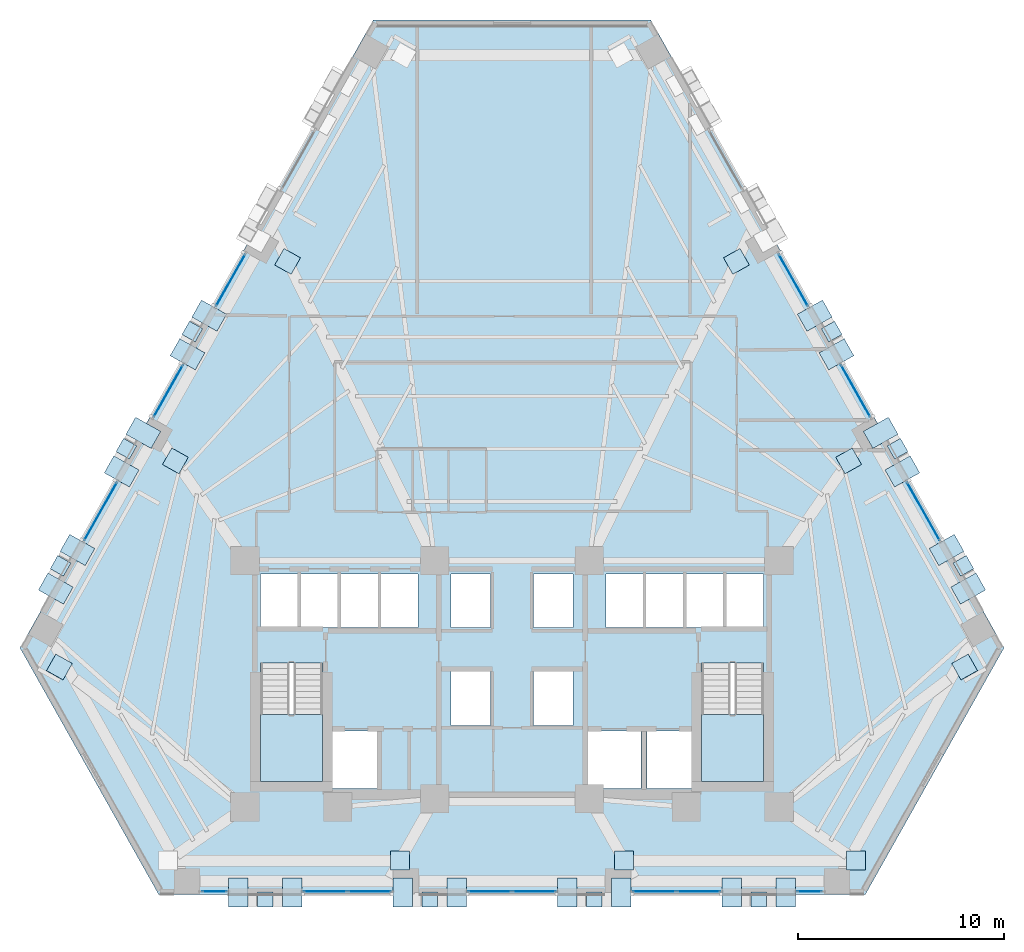
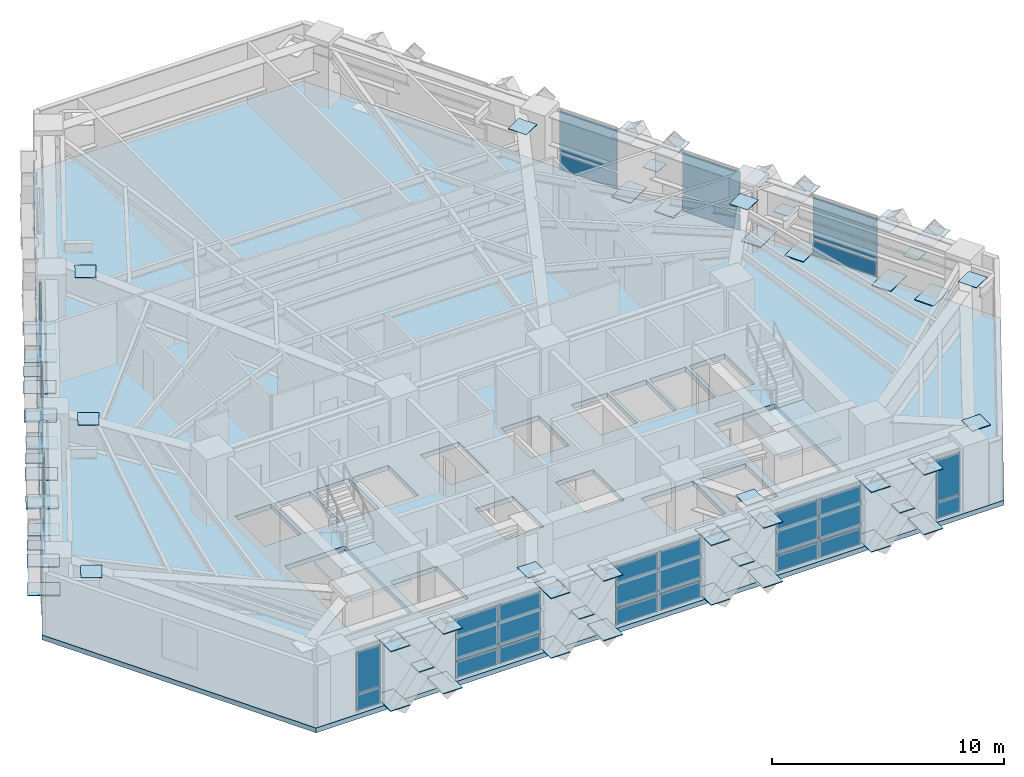
# One storey, part 6 of 14: 87 plates, 3 slabs, 13 elements without a shape of their own.
"""IFC4 building model written with IfcOpenShell, lengths in metres."""

from ifc_helpers import new_model, si_unit, direction, frame, origin, origin_2d, place, context, subcontext, project, spatial, polyline, rectangle, outline, extrude, material, layer, layer_set, type_object, element, aggregate, save


model = new_model("IFC4")

# Units and contexts
model_context = context("Model", 3, precision=1e-05, world=origin(), true_north=direction((0.0, 1.0)))
body_context = subcontext(model_context, "Body", "Model", "MODEL_VIEW")
ifc_project = project(units=[si_unit("LENGTHUNIT", "METRE"), si_unit("AREAUNIT", "SQUARE_METRE"), si_unit("VOLUMEUNIT", "CUBIC_METRE"), si_unit("PLANEANGLEUNIT", "RADIAN"), si_unit("MASSUNIT", "GRAM", prefix="KILO")], contexts=[model_context])

# Site, building, storey
site_placement = place(None, origin())
site = spatial("IfcSite", under=ifc_project, at=site_placement, CompositionType="ELEMENT")
building_placement = place(site_placement, origin())
building = spatial("IfcBuilding", under=site, at=building_placement, Name="Quenlor Broadcast Tower", CompositionType="ELEMENT")
storey_placement = place(building_placement, frame((0.0, 0.0, 73.10009765625)))
storey = spatial("IfcBuildingStorey", under=building, at=storey_placement, Name="L19", CompositionType="ELEMENT", Elevation=73.10009765625)

# Curtain wall, plates
ifc_material_1 = material(Name="Architectural Terracotta and Low-E Glazing", Category="masonry")
curtain_wall_type = type_object("IfcCurtainWallType", Name="Unitised Terracotta Curtain Wall System Z1", PredefinedType="NOTDEFINED", material=ifc_material_1)
curtain_wall_1_placement = place(storey_placement, origin())
curtain_wall_1 = element("IfcCurtainWall", 1, at=curtain_wall_1_placement, inside=storey, type_object=curtain_wall_type, Name="L19 Curtain Wall CW1 (L19-SA-G1)", PredefinedType="NOTDEFINED")
ifc_material_2 = material(Name="Double Glazed Low-E Solar Glass", Category="glass")
ifc_layer_1 = layer(ifc_material_2, 0.031982421875)
ifc_layer_set_1 = layer_set([ifc_layer_1], Name="CW1 Double Glazed Vision Panel 32")
plate_type_1 = type_object("IfcPlateType", Name="CW1 Double Glazed Vision Panel 32", PredefinedType="CURTAIN_PANEL", material=ifc_layer_set_1)
plate_1_placement = place(storey_placement, frame((14.44091796875, -20.840087890625, 0.079833984375), z_axis=(0.0, 0.0, 1.0), x_axis=(-1.0, 0.0, 0.0)))
plate_1 = element("IfcPlate", 2, at=plate_1_placement, type_object=plate_type_1, Name="CW1 panel 1.1", PredefinedType="CURTAIN_PANEL", context=body_context, shape_type="SweptSolid", body=[
    extrude(rectangle(XDim=1.188232421875, YDim=0.031982421875, at=origin_2d()), origin(), (0.0, 0.0, 1.0), 0.830078125),
])
plate_2_placement = place(storey_placement, frame((14.44091796875, -20.840087890625, 0.98974609375), z_axis=(0.0, 0.0, 1.0), x_axis=(-1.0, 0.0, 0.0)))
plate_2 = element("IfcPlate", 3, at=plate_2_placement, type_object=plate_type_1, Name="CW1 panel 1.2", PredefinedType="CURTAIN_PANEL", context=body_context, shape_type="SweptSolid", body=[
    extrude(rectangle(XDim=1.188232421875, YDim=0.031982421875, at=origin_2d()), origin(), (0.0, 0.0, 1.0), 2.179931640625),
])
aggregate(curtain_wall_1, [plate_1, plate_2])

curtain_wall_2_placement = place(storey_placement, origin())
curtain_wall_2 = element("IfcCurtainWall", 4, at=curtain_wall_2_placement, inside=storey, type_object=curtain_wall_type, Name="L19 Curtain Wall CW1 (L19-SA-G2)", PredefinedType="NOTDEFINED")
plate_3_placement = place(storey_placement, frame((9.058837890625, -20.840087890625, 0.079833984375), z_axis=(0.0, 0.0, 1.0), x_axis=(-1.0, 0.0, 0.0)))
plate_3 = element("IfcPlate", 5, at=plate_3_placement, type_object=plate_type_1, Name="CW1 panel 1.1", PredefinedType="CURTAIN_PANEL", context=body_context, shape_type="SweptSolid", body=[
    extrude(rectangle(XDim=2.072021484375, YDim=0.031982421875, at=origin_2d()), origin(), (0.0, 0.0, 1.0), 0.830078125),
])
plate_4_placement = place(storey_placement, frame((9.058837890625, -20.840087890625, 0.98974609375), z_axis=(0.0, 0.0, 1.0), x_axis=(-1.0, 0.0, 0.0)))
plate_4 = element("IfcPlate", 6, at=plate_4_placement, type_object=plate_type_1, Name="CW1 panel 1.2", PredefinedType="CURTAIN_PANEL", context=body_context, shape_type="SweptSolid", body=[
    extrude(rectangle(XDim=2.072021484375, YDim=0.031982421875, at=origin_2d()), origin(), (0.0, 0.0, 1.0), 2.179931640625),
])
plate_5_placement = place(storey_placement, frame((6.90673828125, -20.840087890625, 0.079833984375), z_axis=(0.0, 0.0, 1.0), x_axis=(-1.0, 0.0, 0.0)))
plate_5 = element("IfcPlate", 7, at=plate_5_placement, type_object=plate_type_1, Name="CW1 panel 2.1", PredefinedType="CURTAIN_PANEL", context=body_context, shape_type="SweptSolid", body=[
    extrude(rectangle(XDim=2.072021484375, YDim=0.031982421875, at=origin_2d()), origin(), (0.0, 0.0, 1.0), 0.830078125),
])
plate_6_placement = place(storey_placement, frame((6.90673828125, -20.840087890625, 0.98974609375), z_axis=(0.0, 0.0, 1.0), x_axis=(-1.0, 0.0, 0.0)))
plate_6 = element("IfcPlate", 8, at=plate_6_placement, type_object=plate_type_1, Name="CW1 panel 2.2", PredefinedType="CURTAIN_PANEL", context=body_context, shape_type="SweptSolid", body=[
    extrude(rectangle(XDim=2.072021484375, YDim=0.031982421875, at=origin_2d()), origin(), (0.0, 0.0, 1.0), 2.179931640625),
])
aggregate(curtain_wall_2, [plate_3, plate_4, plate_5, plate_6])

curtain_wall_3_placement = place(storey_placement, origin())
curtain_wall_3 = element("IfcCurtainWall", 9, at=curtain_wall_3_placement, inside=storey, type_object=curtain_wall_type, Name="L19 Curtain Wall CW1 (L19-SC-G1)", PredefinedType="NOTDEFINED")
plate_7_placement = place(storey_placement, frame((-6.90673828125, -20.840087890625, 0.079833984375), z_axis=(0.0, 0.0, 1.0), x_axis=(-1.0, 0.0, 0.0)))
plate_7 = element("IfcPlate", 10, at=plate_7_placement, type_object=plate_type_1, Name="CW1 panel 1.1", PredefinedType="CURTAIN_PANEL", context=body_context, shape_type="SweptSolid", body=[
    extrude(rectangle(XDim=2.072021484375, YDim=0.031982421875, at=origin_2d()), origin(), (0.0, 0.0, 1.0), 0.830078125),
])
plate_8_placement = place(storey_placement, frame((-6.90673828125, -20.840087890625, 0.98974609375), z_axis=(0.0, 0.0, 1.0), x_axis=(-1.0, 0.0, 0.0)))
plate_8 = element("IfcPlate", 11, at=plate_8_placement, type_object=plate_type_1, Name="CW1 panel 1.2", PredefinedType="CURTAIN_PANEL", context=body_context, shape_type="SweptSolid", body=[
    extrude(rectangle(XDim=2.072021484375, YDim=0.031982421875, at=origin_2d()), origin(), (0.0, 0.0, 1.0), 2.179931640625),
])
plate_9_placement = place(storey_placement, frame((-9.058837890625, -20.840087890625, 0.079833984375), z_axis=(0.0, 0.0, 1.0), x_axis=(-1.0, 0.0, 0.0)))
plate_9 = element("IfcPlate", 12, at=plate_9_placement, type_object=plate_type_1, Name="CW1 panel 2.1", PredefinedType="CURTAIN_PANEL", context=body_context, shape_type="SweptSolid", body=[
    extrude(rectangle(XDim=2.072021484375, YDim=0.031982421875, at=origin_2d()), origin(), (0.0, 0.0, 1.0), 0.830078125),
])
plate_10_placement = place(storey_placement, frame((-9.058837890625, -20.840087890625, 0.98974609375), z_axis=(0.0, 0.0, 1.0), x_axis=(-1.0, 0.0, 0.0)))
plate_10 = element("IfcPlate", 13, at=plate_10_placement, type_object=plate_type_1, Name="CW1 panel 2.2", PredefinedType="CURTAIN_PANEL", context=body_context, shape_type="SweptSolid", body=[
    extrude(rectangle(XDim=2.072021484375, YDim=0.031982421875, at=origin_2d()), origin(), (0.0, 0.0, 1.0), 2.179931640625),
])
aggregate(curtain_wall_3, [plate_7, plate_8, plate_9, plate_10])

curtain_wall_4_placement = place(storey_placement, origin())
curtain_wall_4 = element("IfcCurtainWall", 14, at=curtain_wall_4_placement, inside=storey, type_object=curtain_wall_type, Name="L19 Curtain Wall CW1 (L19-SC-G2)", PredefinedType="NOTDEFINED")
plate_11_placement = place(storey_placement, frame((-14.44091796875, -20.840087890625, 0.079833984375), z_axis=(0.0, 0.0, 1.0), x_axis=(-1.0, 0.0, 0.0)))
plate_11 = element("IfcPlate", 15, at=plate_11_placement, type_object=plate_type_1, Name="CW1 panel 1.1", PredefinedType="CURTAIN_PANEL", context=body_context, shape_type="SweptSolid", body=[
    extrude(rectangle(XDim=1.188232421875, YDim=0.031982421875, at=origin_2d()), origin(), (0.0, 0.0, 1.0), 0.830078125),
])
plate_12_placement = place(storey_placement, frame((-14.44091796875, -20.840087890625, 0.98974609375), z_axis=(0.0, 0.0, 1.0), x_axis=(-1.0, 0.0, 0.0)))
plate_12 = element("IfcPlate", 16, at=plate_12_placement, type_object=plate_type_1, Name="CW1 panel 1.2", PredefinedType="CURTAIN_PANEL", context=body_context, shape_type="SweptSolid", body=[
    extrude(rectangle(XDim=1.188232421875, YDim=0.031982421875, at=origin_2d()), origin(), (0.0, 0.0, 1.0), 2.179931640625),
])
aggregate(curtain_wall_4, [plate_11, plate_12])

curtain_wall_5_placement = place(storey_placement, origin())
curtain_wall_5 = element("IfcCurtainWall", 17, at=curtain_wall_5_placement, inside=storey, type_object=curtain_wall_type, Name="L19 Curtain Wall CW1 (L19-S-G1)", PredefinedType="NOTDEFINED")
plate_13_placement = place(storey_placement, frame((1.0771484375, -20.840087890625, 0.079833984375), z_axis=(0.0, 0.0, 1.0), x_axis=(-1.0, 0.0, 0.0)))
plate_13 = element("IfcPlate", 18, at=plate_13_placement, type_object=plate_type_1, Name="CW1 panel 1.1", PredefinedType="CURTAIN_PANEL", context=body_context, shape_type="SweptSolid", body=[
    extrude(rectangle(XDim=2.07421875, YDim=0.031982421875, at=origin_2d()), origin(), (0.0, 0.0, 1.0), 0.830078125),
])
plate_14_placement = place(storey_placement, frame((1.0771484375, -20.840087890625, 0.98974609375), z_axis=(0.0, 0.0, 1.0), x_axis=(-1.0, 0.0, 0.0)))
plate_14 = element("IfcPlate", 19, at=plate_14_placement, type_object=plate_type_1, Name="CW1 panel 1.2", PredefinedType="CURTAIN_PANEL", context=body_context, shape_type="SweptSolid", body=[
    extrude(rectangle(XDim=2.07421875, YDim=0.031982421875, at=origin_2d()), origin(), (0.0, 0.0, 1.0), 2.179931640625),
])
plate_15_placement = place(storey_placement, frame((-1.0771484375, -20.840087890625, 0.079833984375), z_axis=(0.0, 0.0, 1.0), x_axis=(-1.0, 0.0, 0.0)))
plate_15 = element("IfcPlate", 20, at=plate_15_placement, type_object=plate_type_1, Name="CW1 panel 2.1", PredefinedType="CURTAIN_PANEL", context=body_context, shape_type="SweptSolid", body=[
    extrude(rectangle(XDim=2.07421875, YDim=0.031982421875, at=origin_2d()), origin(), (0.0, 0.0, 1.0), 0.830078125),
])
plate_16_placement = place(storey_placement, frame((-1.0771484375, -20.840087890625, 0.98974609375), z_axis=(0.0, 0.0, 1.0), x_axis=(-1.0, 0.0, 0.0)))
plate_16 = element("IfcPlate", 21, at=plate_16_placement, type_object=plate_type_1, Name="CW1 panel 2.2", PredefinedType="CURTAIN_PANEL", context=body_context, shape_type="SweptSolid", body=[
    extrude(rectangle(XDim=2.07421875, YDim=0.031982421875, at=origin_2d()), origin(), (0.0, 0.0, 1.0), 2.179931640625),
])
aggregate(curtain_wall_5, [plate_13, plate_14, plate_15, plate_16])

curtain_wall_6_placement = place(storey_placement, origin())
curtain_wall_6 = element("IfcCurtainWall", 22, at=curtain_wall_6_placement, inside=storey, type_object=curtain_wall_type, Name="L19 Curtain Wall CW1 (L19-NEC-G1)", PredefinedType="NOTDEFINED")
plate_17_placement = place(storey_placement, frame((19.95556640625, -2.403076171875, 0.079833984375), z_axis=(0.0, 0.0, 1.0), x_axis=(0.49025702672, -0.871577906875, 0.0)))
plate_17 = element("IfcPlate", 23, at=plate_17_placement, type_object=plate_type_1, Name="CW1 panel 1.1", PredefinedType="CURTAIN_PANEL", context=body_context, shape_type="SweptSolid", body=[
    extrude(rectangle(XDim=3.220947265625, YDim=0.031982421875, at=origin_2d()), origin(), (0.0, 0.0, 1.0), 0.830078125),
])
plate_18_placement = place(storey_placement, frame((19.95556640625, -2.403076171875, 0.98974609375), z_axis=(0.0, 0.0, 1.0), x_axis=(0.49025702672, -0.871577906875, 0.0)))
plate_18 = element("IfcPlate", 24, at=plate_18_placement, type_object=plate_type_1, Name="CW1 panel 1.2", PredefinedType="CURTAIN_PANEL", context=body_context, shape_type="SweptSolid", body=[
    extrude(rectangle(XDim=3.220947265625, YDim=0.031982421875, at=origin_2d()), origin(), (0.0, 0.0, 1.0), 2.179931640625),
])
aggregate(curtain_wall_6, [plate_17, plate_18])

curtain_wall_7_placement = place(storey_placement, origin())
curtain_wall_7 = element("IfcCurtainWall", 25, at=curtain_wall_7_placement, inside=storey, type_object=curtain_wall_type, Name="L19 Curtain Wall CW1 (L19-NE-G1)", PredefinedType="NOTDEFINED")
plate_19_placement = place(storey_placement, frame((13.648681640625, 8.809326171875, 0.079833984375), z_axis=(0.0, 0.0, 1.0), x_axis=(0.490273782815, -0.871568481465, 0.0)))
plate_19 = element("IfcPlate", 26, at=plate_19_placement, type_object=plate_type_1, Name="CW1 panel 1.1", PredefinedType="CURTAIN_PANEL", context=body_context, shape_type="SweptSolid", body=[
    extrude(rectangle(XDim=2.8681640625, YDim=0.031982421875, at=origin_2d()), origin(), (0.0, 0.0, 1.0), 0.830078125),
])
plate_20_placement = place(storey_placement, frame((13.648681640625, 8.809326171875, 0.98974609375), z_axis=(0.0, 0.0, 1.0), x_axis=(0.490273782815, -0.871568481465, 0.0)))
plate_20 = element("IfcPlate", 27, at=plate_20_placement, type_object=plate_type_1, Name="CW1 panel 1.2", PredefinedType="CURTAIN_PANEL", context=body_context, shape_type="SweptSolid", body=[
    extrude(rectangle(XDim=2.8681640625, YDim=0.031982421875, at=origin_2d()), origin(), (0.0, 0.0, 1.0), 2.179931640625),
])
aggregate(curtain_wall_7, [plate_19, plate_20])

curtain_wall_8_placement = place(storey_placement, origin())
curtain_wall_8 = element("IfcCurtainWall", 28, at=curtain_wall_8_placement, inside=storey, type_object=curtain_wall_type, Name="L19 Curtain Wall CW1 (L19-NE-G2)", PredefinedType="NOTDEFINED")
plate_21_placement = place(storey_placement, frame((16.67236328125, 3.433837890625, 0.079833984375), z_axis=(0.0, 0.0, 1.0), x_axis=(0.490273782815, -0.871568481465, 0.0)))
plate_21 = element("IfcPlate", 29, at=plate_21_placement, type_object=plate_type_1, Name="CW1 panel 1.1", PredefinedType="CURTAIN_PANEL", context=body_context, shape_type="SweptSolid", body=[
    extrude(rectangle(XDim=2.8681640625, YDim=0.031982421875, at=origin_2d()), origin(), (0.0, 0.0, 1.0), 0.830078125),
])
plate_22_placement = place(storey_placement, frame((16.67236328125, 3.433837890625, 0.98974609375), z_axis=(0.0, 0.0, 1.0), x_axis=(0.490273782815, -0.871568481465, 0.0)))
plate_22 = element("IfcPlate", 30, at=plate_22_placement, type_object=plate_type_1, Name="CW1 panel 1.2", PredefinedType="CURTAIN_PANEL", context=body_context, shape_type="SweptSolid", body=[
    extrude(rectangle(XDim=2.8681640625, YDim=0.031982421875, at=origin_2d()), origin(), (0.0, 0.0, 1.0), 2.179931640625),
])
aggregate(curtain_wall_8, [plate_21, plate_22])

curtain_wall_9_placement = place(storey_placement, origin())
curtain_wall_9 = element("IfcCurtainWall", 31, at=curtain_wall_9_placement, inside=storey, type_object=curtain_wall_type, Name="L19 Curtain Wall CW1 (L19-NWA-G1)", PredefinedType="NOTDEFINED")
plate_23_placement = place(storey_placement, frame((-19.95556640625, -2.403076171875, 0.079833984375), z_axis=(0.0, 0.0, 1.0), x_axis=(0.49025702672, 0.871577906875, 0.0)))
plate_23 = element("IfcPlate", 32, at=plate_23_placement, type_object=plate_type_1, Name="CW1 panel 1.1", PredefinedType="CURTAIN_PANEL", context=body_context, shape_type="SweptSolid", body=[
    extrude(rectangle(XDim=3.220947265625, YDim=0.031982421875, at=origin_2d()), origin(), (0.0, 0.0, 1.0), 0.830078125),
])
plate_24_placement = place(storey_placement, frame((-19.95556640625, -2.403076171875, 0.98974609375), z_axis=(0.0, 0.0, 1.0), x_axis=(0.49025702672, 0.871577906875, 0.0)))
plate_24 = element("IfcPlate", 33, at=plate_24_placement, type_object=plate_type_1, Name="CW1 panel 1.2", PredefinedType="CURTAIN_PANEL", context=body_context, shape_type="SweptSolid", body=[
    extrude(rectangle(XDim=3.220947265625, YDim=0.031982421875, at=origin_2d()), origin(), (0.0, 0.0, 1.0), 2.179931640625),
])
aggregate(curtain_wall_9, [plate_23, plate_24])

curtain_wall_10_placement = place(storey_placement, origin())
curtain_wall_10 = element("IfcCurtainWall", 34, at=curtain_wall_10_placement, inside=storey, type_object=curtain_wall_type, Name="L19 Curtain Wall CW1 (L19-NW-G1)", PredefinedType="NOTDEFINED")
plate_25_placement = place(storey_placement, frame((-16.67236328125, 3.433837890625, 0.079833984375), z_axis=(0.0, 0.0, 1.0), x_axis=(0.490273782815, 0.871568481465, 0.0)))
plate_25 = element("IfcPlate", 35, at=plate_25_placement, type_object=plate_type_1, Name="CW1 panel 1.1", PredefinedType="CURTAIN_PANEL", context=body_context, shape_type="SweptSolid", body=[
    extrude(rectangle(XDim=2.8681640625, YDim=0.031982421875, at=origin_2d()), origin(), (0.0, 0.0, 1.0), 0.830078125),
])
plate_26_placement = place(storey_placement, frame((-16.67236328125, 3.433837890625, 0.98974609375), z_axis=(0.0, 0.0, 1.0), x_axis=(0.490273782815, 0.871568481465, 0.0)))
plate_26 = element("IfcPlate", 36, at=plate_26_placement, type_object=plate_type_1, Name="CW1 panel 1.2", PredefinedType="CURTAIN_PANEL", context=body_context, shape_type="SweptSolid", body=[
    extrude(rectangle(XDim=2.8681640625, YDim=0.031982421875, at=origin_2d()), origin(), (0.0, 0.0, 1.0), 2.179931640625),
])
aggregate(curtain_wall_10, [plate_25, plate_26])

curtain_wall_11_placement = place(storey_placement, origin())
curtain_wall_11 = element("IfcCurtainWall", 37, at=curtain_wall_11_placement, inside=storey, type_object=curtain_wall_type, Name="L19 Curtain Wall CW1 (L19-NW-G2)", PredefinedType="NOTDEFINED")
plate_27_placement = place(storey_placement, frame((-13.648681640625, 8.809326171875, 0.079833984375), z_axis=(0.0, 0.0, 1.0), x_axis=(0.490273782815, 0.871568481465, 0.0)))
plate_27 = element("IfcPlate", 38, at=plate_27_placement, type_object=plate_type_1, Name="CW1 panel 1.1", PredefinedType="CURTAIN_PANEL", context=body_context, shape_type="SweptSolid", body=[
    extrude(rectangle(XDim=2.8681640625, YDim=0.031982421875, at=origin_2d()), origin(), (0.0, 0.0, 1.0), 0.830078125),
])
plate_28_placement = place(storey_placement, frame((-13.648681640625, 8.809326171875, 0.98974609375), z_axis=(0.0, 0.0, 1.0), x_axis=(0.490273782815, 0.871568481465, 0.0)))
plate_28 = element("IfcPlate", 39, at=plate_28_placement, type_object=plate_type_1, Name="CW1 panel 1.2", PredefinedType="CURTAIN_PANEL", context=body_context, shape_type="SweptSolid", body=[
    extrude(rectangle(XDim=2.8681640625, YDim=0.031982421875, at=origin_2d()), origin(), (0.0, 0.0, 1.0), 2.179931640625),
])
aggregate(curtain_wall_11, [plate_27, plate_28])

# Plates
ifc_material_3 = material(Name="Steel S355", Category="steel")
ifc_layer_2 = layer(ifc_material_3, 0.031982421875)
ifc_layer_set_2 = layer_set([ifc_layer_2], Name="Lower Zone Setback Steel S355 Kink Cap Plate 920x920x32")
plate_type_2 = type_object("IfcPlateType", Name="Lower Zone Setback Steel S355 Kink Cap Plate 920x920x32", PredefinedType="USERDEFINED", material=ifc_layer_set_2)
for number, where, z_axis, x_axis, name in (
    (40, (-5.443115234375, -19.35009765625, 3.2177734375), (0.0, 0.0, 1.0), (0.0, 1.0, 0.0), "L19 Setback Kink Plate S2"),
    (41, (5.443115234375, -19.35009765625, 3.2177734375), (0.0, 0.0, 1.0), (0.0, 1.0, 0.0), "L19 Setback Kink Plate S3"),
    (42, (16.6923828125, -19.35009765625, 3.2177734375), (0.0, 0.0, 1.0), (0.0, 1.0, 0.0), "L19 Setback Kink Plate S4"),
    (43, (21.95458984375, -9.95654296875, 3.2177734375), (0.0, 0.0, 1.0), (0.871575139605, 0.490261946333, 0.0), "L19 Setback Kink Plate NE1"),
    (44, (16.330078125, 0.04296875, 3.2177734375), (0.0, 0.0, 1.0), (0.871575139605, 0.490261946333, 0.0), "L19 Setback Kink Plate NE2"),
    (45, (10.886962890625, 9.7197265625, 3.2177734375), (0.0, 0.0, 1.0), (0.871575139605, 0.490261946333, 0.0), "L19 Setback Kink Plate NE3"),
    (46, (-10.886962890625, 9.7197265625, 3.2177734375), (0.0, 0.0, 1.0), (-0.871575139605, 0.490261946333, 0.0), "L19 Setback Kink Plate NW2"),
    (47, (-16.330078125, 0.04296875, 3.2177734375), (0.0, 0.0, 1.0), (-0.871575139605, 0.490261946333, 0.0), "L19 Setback Kink Plate NW3"),
    (48, (-21.95458984375, -9.95654296875, 3.2177734375), (0.0, 0.0, 1.0), (-0.871575139605, 0.490261946333, 0.0), "L19 Setback Kink Plate NW4"),
):
    element("IfcPlate", number, at=place(storey_placement, frame(where, z_axis=z_axis, x_axis=x_axis)), inside=storey, type_object=plate_type_2, Name=name, ObjectType="CAP PLATE", PredefinedType="USERDEFINED", context=body_context, shape_type="SweptSolid", body=[
        extrude(rectangle(XDim=0.919921875, YDim=0.919921875, at=origin_2d()), origin(), (0.0, 0.0, 1.0), 0.031982421875),
    ])
ifc_material_4 = material(Name="Steel S355", Category="steel")
ifc_layer_3 = layer(ifc_material_4, 0.028076171875)
ifc_layer_set_3 = layer_set([ifc_layer_3], Name="Perimeter Lattice Node Steel S355 Cap Plate 740x740x28")
plate_type_3 = type_object("IfcPlateType", Name="Perimeter Lattice Node Steel S355 Cap Plate 740x740x28", PredefinedType="USERDEFINED", material=ifc_layer_set_3)
for number, where, z_axis, x_axis, name in (
    (49, (11.970703125, -21.235107421875, 1.61572265625), (0.0, 0.0, 1.0), (-1.0, 0.0, 0.0), "L19 Diamond Lattice Crossing Node S-C1"),
    (50, (3.990234375, -21.235107421875, 1.61572265625), (0.0, 0.0, 1.0), (-1.0, 0.0, 0.0), "L19 Diamond Lattice Crossing Node S-C2"),
    (51, (-3.990234375, -21.235107421875, 1.61572265625), (0.0, 0.0, 1.0), (-1.0, 0.0, 0.0), "L19 Diamond Lattice Crossing Node S-C3"),
    (52, (-11.970703125, -21.235107421875, 1.61572265625), (0.0, 0.0, 1.0), (-1.0, 0.0, 0.0), "L19 Diamond Lattice Crossing Node S-C4"),
    (53, (15.5048828125, 6.315185546875, 1.61572265625), (0.0, 0.0, 1.0), (0.490295412055, -0.871556314255, 0.0), "L19 Diamond Lattice Crossing Node NE-C3"),
    (54, (18.70166015625, 0.632080078125, 1.61572265625), (0.0, 0.0, 1.0), (0.490295412055, -0.871556314255, 0.0), "L19 Diamond Lattice Crossing Node NE-C4"),
    (55, (21.898193359375, -5.051025390625, 1.61572265625), (0.0, 0.0, 1.0), (0.490295412055, -0.871556314255, 0.0), "L19 Diamond Lattice Crossing Node NE-C5"),
    (56, (-21.898193359375, -5.051025390625, 1.61572265625), (0.0, 0.0, 1.0), (0.490295412055, 0.871556314255, 0.0), "L19 Diamond Lattice Crossing Node NW-C1"),
    (57, (-18.70166015625, 0.632080078125, 1.61572265625), (0.0, 0.0, 1.0), (0.490295412055, 0.871556314255, 0.0), "L19 Diamond Lattice Crossing Node NW-C2"),
    (58, (-15.5048828125, 6.315185546875, 1.61572265625), (0.0, 0.0, 1.0), (0.490295412055, 0.871556314255, 0.0), "L19 Diamond Lattice Crossing Node NW-C3"),
):
    element("IfcPlate", number, at=place(storey_placement, frame(where, z_axis=z_axis, x_axis=x_axis)), inside=storey, type_object=plate_type_3, Name=name, ObjectType="CAP PLATE", PredefinedType="USERDEFINED", context=body_context, shape_type="SweptSolid", body=[
        extrude(rectangle(XDim=0.739990234375, YDim=0.739990234375, at=origin_2d()), origin(), (0.0, 0.0, 1.0), 0.028076171875),
    ])

# Stair, slab
ifc_material_5 = material(Name="Precast concrete C40/50", Category="concrete")
stair_type = type_object("IfcStairType", Name="Precast Concrete C40/50 Dogleg Stair H350", PredefinedType="HALF_TURN_STAIR", material=ifc_material_5)
stair_1_placement = place(storey_placement, origin())
stair_1 = element("IfcStair", 59, at=stair_1_placement, inside=storey, type_object=stair_type, Name="L19 West Core Fire-Isolated Exit Stair ST-1", PredefinedType="HALF_TURN_STAIR")
ifc_material_6 = material(Name="Precast concrete C40/50", Category="concrete")
ifc_layer_4 = layer(ifc_material_6, 0.199951171875)
ifc_layer_set_4 = layer_set([ifc_layer_4], Name="Precast Concrete C40/50 Stair Landing Slab 200")
slab_type_1 = type_object("IfcSlabType", Name="Precast Concrete C40/50 Stair Landing Slab 200", PredefinedType="LANDING", material=ifc_layer_set_4)
slab_1_placement = place(storey_placement, frame((0.0, 0.0, 1.5498046875)))
slab_1 = element("IfcSlab", 60, at=slab_1_placement, type_object=slab_type_1, Name="ST-1 landing 1", PredefinedType="LANDING", context=body_context, shape_type="SweptSolid", body=[
    extrude(outline(polyline([(-12.199951171875, -12.27001953125), (-12.199951171875, -15.5), (-9.199951171875, -15.5), (-9.199951171875, -12.27001953125), (-12.199951171875, -12.27001953125)])), origin(), (0.0, 0.0, 1.0), 0.2001953125),
])
aggregate(stair_1, [slab_1])

stair_2_placement = place(storey_placement, origin())
stair_2 = element("IfcStair", 61, at=stair_2_placement, inside=storey, type_object=stair_type, Name="L19 East Core Fire-Isolated Exit Stair ST-2", PredefinedType="HALF_TURN_STAIR")
slab_2_placement = place(storey_placement, frame((0.0, 0.0, 1.5498046875)))
slab_2 = element("IfcSlab", 62, at=slab_2_placement, type_object=slab_type_1, Name="ST-2 landing 1", PredefinedType="LANDING", context=body_context, shape_type="SweptSolid", body=[
    extrude(outline(polyline([(9.199951171875, -12.27001953125), (9.199951171875, -15.5), (12.199951171875, -15.5), (12.199951171875, -12.27001953125), (9.199951171875, -12.27001953125)])), origin(), (0.0, 0.0, 1.0), 0.2001953125),
])
aggregate(stair_2, [slab_2])

# Slab
ifc_material_7 = material(Name="Concrete C40/50", Category="concrete")
ifc_layer_5 = layer(ifc_material_7, 0.25)
ifc_layer_set_5 = layer_set([ifc_layer_5], Name="Tower Composite Concrete C40/50 Slab 250")
slab_type_2 = type_object("IfcSlabType", Name="Tower Composite Concrete C40/50 Slab 250", PredefinedType="FLOOR", material=ifc_layer_set_5)
slab_3_placement = place(storey_placement, frame((0.0, 0.0, -0.25)))
element("IfcSlab", 63, at=slab_3_placement, inside=storey, type_object=slab_type_2, Name="L19 Structural Floor Slab", PredefinedType="FLOOR", context=body_context, shape_type="SweptSolid", body=[
    extrude(outline(polyline([(17.135986328125, -21.0), (23.867919921875, -9.031982421875), (6.73193359375, 21.431884765625), (-6.73193359375, 21.431884765625), (-23.867919921875, -9.031982421875), (-17.135986328125, -21.0), (17.135986328125, -21.0)]), holes=[polyline([(-12.199951171875, -9.758056640625), (-12.199951171875, -15.5), (-9.199951171875, -15.5), (-9.199951171875, -9.758056640625), (-12.199951171875, -9.758056640625)]), polyline([(9.199951171875, -9.758056640625), (9.199951171875, -15.5), (12.199951171875, -15.5), (12.199951171875, -9.758056640625), (9.199951171875, -9.758056640625)]), polyline([(-12.199951171875, -8.050048828125), (-10.39990234375, -8.050048828125), (-10.39990234375, -5.449951171875), (-12.199951171875, -5.449951171875), (-12.199951171875, -8.050048828125)]), polyline([(-10.25, -8.050048828125), (-8.449951171875, -8.050048828125), (-8.449951171875, -5.449951171875), (-10.25, -5.449951171875), (-10.25, -8.050048828125)]), polyline([(-8.300048828125, -8.050048828125), (-6.5, -8.050048828125), (-6.5, -5.449951171875), (-8.300048828125, -5.449951171875), (-8.300048828125, -8.050048828125)]), polyline([(-6.35009765625, -8.050048828125), (-4.550048828125, -8.050048828125), (-4.550048828125, -5.449951171875), (-6.35009765625, -5.449951171875), (-6.35009765625, -8.050048828125)]), polyline([(-2.949951171875, -8.050048828125), (-1.050048828125, -8.050048828125), (-1.050048828125, -5.449951171875), (-2.949951171875, -5.449951171875), (-2.949951171875, -8.050048828125)]), polyline([(1.050048828125, -8.050048828125), (2.949951171875, -8.050048828125), (2.949951171875, -5.449951171875), (1.050048828125, -5.449951171875), (1.050048828125, -8.050048828125)]), polyline([(-2.949951171875, -12.800048828125), (-1.050048828125, -12.800048828125), (-1.050048828125, -10.14990234375), (-2.949951171875, -10.14990234375), (-2.949951171875, -12.800048828125)]), polyline([(1.050048828125, -12.800048828125), (2.949951171875, -12.800048828125), (2.949951171875, -10.14990234375), (1.050048828125, -10.14990234375), (1.050048828125, -12.800048828125)]), polyline([(4.550048828125, -8.050048828125), (6.35009765625, -8.050048828125), (6.35009765625, -5.449951171875), (4.550048828125, -5.449951171875), (4.550048828125, -8.050048828125)]), polyline([(6.5, -8.050048828125), (8.300048828125, -8.050048828125), (8.300048828125, -5.449951171875), (6.5, -5.449951171875), (6.5, -8.050048828125)]), polyline([(8.449951171875, -8.050048828125), (10.25, -8.050048828125), (10.25, -5.449951171875), (8.449951171875, -5.449951171875), (8.449951171875, -8.050048828125)]), polyline([(10.39990234375, -8.050048828125), (12.199951171875, -8.050048828125), (12.199951171875, -5.449951171875), (10.39990234375, -5.449951171875), (10.39990234375, -8.050048828125)]), polyline([(-8.85009765625, -15.85009765625), (-6.550048828125, -15.85009765625), (-6.550048828125, -13.050048828125), (-8.85009765625, -13.050048828125), (-8.85009765625, -15.85009765625)]), polyline([(6.550048828125, -15.85009765625), (8.85009765625, -15.85009765625), (8.85009765625, -13.050048828125), (6.550048828125, -13.050048828125), (6.550048828125, -15.85009765625)]), polyline([(3.64990234375, -15.85009765625), (6.25, -15.85009765625), (6.25, -13.050048828125), (3.64990234375, -13.050048828125), (3.64990234375, -15.85009765625)])]), origin(), (0.0, 0.0, 1.0), 0.25),
])

# Plates
ifc_material_8 = material(Name="Steel S355", Category="steel")
ifc_layer_6 = layer(ifc_material_8, 0.035888671875)
ifc_layer_set_6 = layer_set([ifc_layer_6], Name="Transfer Truss Steel S355 Gusset Node Plate 1400x950x36")
plate_type_4 = type_object("IfcPlateType", Name="Transfer Truss Steel S355 Gusset Node Plate 1400x950x36", PredefinedType="SHEET", material=ifc_layer_set_6)
for number, where, z_axis, x_axis, name in (
    (64, (13.284912109375, -20.89990234375, 0.0419921875), (0.0, 0.0, 1.0), (0.0, -1.0, 0.0), "L19 Lattice Tie Gusset Node S-B1"),
    (65, (10.656494140625, -20.89990234375, 3.18212890625), (0.0, 0.0, 1.0), (0.0, -1.0, 0.0), "L19 Lattice Tie Gusset Node S-T2"),
    (66, (10.656494140625, -20.89990234375, 0.0419921875), (0.0, 0.0, 1.0), (0.0, -1.0, 0.0), "L19 Lattice Tie Gusset Node S-B2"),
    (67, (13.284912109375, -20.89990234375, 3.18212890625), (0.0, 0.0, 1.0), (0.0, -1.0, 0.0), "L19 Lattice Tie Gusset Node S-T1"),
    (68, (5.304443359375, -20.89990234375, 0.0419921875), (0.0, 0.0, 1.0), (0.0, -1.0, 0.0), "L19 Lattice Tie Gusset Node S-B4"),
    (69, (2.676025390625, -20.89990234375, 3.18212890625), (0.0, 0.0, 1.0), (0.0, -1.0, 0.0), "L19 Lattice Tie Gusset Node S-T5"),
    (70, (2.676025390625, -20.89990234375, 0.0419921875), (0.0, 0.0, 1.0), (0.0, -1.0, 0.0), "L19 Lattice Tie Gusset Node S-B5"),
    (71, (5.304443359375, -20.89990234375, 3.18212890625), (0.0, 0.0, 1.0), (0.0, -1.0, 0.0), "L19 Lattice Tie Gusset Node S-T4"),
    (72, (-2.676025390625, -20.89990234375, 0.0419921875), (0.0, 0.0, 1.0), (0.0, -1.0, 0.0), "L19 Lattice Tie Gusset Node S-B7"),
    (73, (-5.304443359375, -20.89990234375, 3.18212890625), (0.0, 0.0, 1.0), (0.0, -1.0, 0.0), "L19 Lattice Tie Gusset Node S-T8"),
    (74, (-5.304443359375, -20.89990234375, 0.0419921875), (0.0, 0.0, 1.0), (0.0, -1.0, 0.0), "L19 Lattice Tie Gusset Node S-B8"),
    (75, (-2.676025390625, -20.89990234375, 3.18212890625), (0.0, 0.0, 1.0), (0.0, -1.0, 0.0), "L19 Lattice Tie Gusset Node S-T7"),
    (76, (-10.656494140625, -20.89990234375, 0.0419921875), (0.0, 0.0, 1.0), (0.0, -1.0, 0.0), "L19 Lattice Tie Gusset Node S-B10"),
    (77, (-13.284912109375, -20.89990234375, 3.18212890625), (0.0, 0.0, 1.0), (0.0, -1.0, 0.0), "L19 Lattice Tie Gusset Node S-T11"),
    (78, (-13.284912109375, -20.89990234375, 0.0419921875), (0.0, 0.0, 1.0), (0.0, -1.0, 0.0), "L19 Lattice Tie Gusset Node S-B11"),
    (79, (-10.656494140625, -20.89990234375, 3.18212890625), (0.0, 0.0, 1.0), (0.0, -1.0, 0.0), "L19 Lattice Tie Gusset Node S-T10"),
    (80, (14.686279296875, 7.0869140625, 0.0419921875), (0.0, 0.0, 1.0), (0.871556314255, 0.490295412055, 0.0), "L19 Lattice Tie Gusset Node NE-B7"),
    (81, (15.7392578125, 5.215087890625, 3.18212890625), (0.0, 0.0, 1.0), (0.871556314255, 0.490295412055, 0.0), "L19 Lattice Tie Gusset Node NE-T8"),
    (82, (15.7392578125, 5.215087890625, 0.0419921875), (0.0, 0.0, 1.0), (0.871556314255, 0.490295412055, 0.0), "L19 Lattice Tie Gusset Node NE-B8"),
    (83, (14.686279296875, 7.0869140625, 3.18212890625), (0.0, 0.0, 1.0), (0.871556314255, 0.490295412055, 0.0), "L19 Lattice Tie Gusset Node NE-T7"),
    (84, (17.88330078125, 1.40380859375, 0.0419921875), (0.0, 0.0, 1.0), (0.871556314255, 0.490295412055, 0.0), "L19 Lattice Tie Gusset Node NE-B10"),
    (85, (18.93603515625, -0.468017578125, 3.18212890625), (0.0, 0.0, 1.0), (0.871556314255, 0.490295412055, 0.0), "L19 Lattice Tie Gusset Node NE-T11"),
    (86, (18.93603515625, -0.468017578125, 0.0419921875), (0.0, 0.0, 1.0), (0.871556314255, 0.490295412055, 0.0), "L19 Lattice Tie Gusset Node NE-B11"),
    (87, (17.88330078125, 1.40380859375, 3.18212890625), (0.0, 0.0, 1.0), (0.871556314255, 0.490295412055, 0.0), "L19 Lattice Tie Gusset Node NE-T10"),
    (88, (21.079833984375, -4.279541015625, 0.0419921875), (0.0, 0.0, 1.0), (0.871556314255, 0.490295412055, 0.0), "L19 Lattice Tie Gusset Node NE-B13"),
    (89, (22.1328125, -6.151123046875, 3.18212890625), (0.0, 0.0, 1.0), (0.871556314255, 0.490295412055, 0.0), "L19 Lattice Tie Gusset Node NE-T14"),
    (90, (22.1328125, -6.151123046875, 0.0419921875), (0.0, 0.0, 1.0), (0.871556314255, 0.490295412055, 0.0), "L19 Lattice Tie Gusset Node NE-B14"),
    (91, (21.079833984375, -4.279541015625, 3.18212890625), (0.0, 0.0, 1.0), (0.871556314255, 0.490295412055, 0.0), "L19 Lattice Tie Gusset Node NE-T13"),
    (92, (-22.1328125, -6.151123046875, 0.0419921875), (0.0, 0.0, 1.0), (-0.871556314255, 0.490295412055, 0.0), "L19 Lattice Tie Gusset Node NW-B1"),
    (93, (-21.079833984375, -4.279541015625, 3.18212890625), (0.0, 0.0, 1.0), (-0.871556314255, 0.490295412055, 0.0), "L19 Lattice Tie Gusset Node NW-T2"),
    (94, (-21.079833984375, -4.279541015625, 0.0419921875), (0.0, 0.0, 1.0), (-0.871556314255, 0.490295412055, 0.0), "L19 Lattice Tie Gusset Node NW-B2"),
    (95, (-22.1328125, -6.151123046875, 3.18212890625), (0.0, 0.0, 1.0), (-0.871556314255, 0.490295412055, 0.0), "L19 Lattice Tie Gusset Node NW-T1"),
    (96, (-18.93603515625, -0.468017578125, 0.0419921875), (0.0, 0.0, 1.0), (-0.871556314255, 0.490295412055, 0.0), "L19 Lattice Tie Gusset Node NW-B4"),
    (97, (-17.88330078125, 1.40380859375, 3.18212890625), (0.0, 0.0, 1.0), (-0.871556314255, 0.490295412055, 0.0), "L19 Lattice Tie Gusset Node NW-T5"),
    (98, (-17.88330078125, 1.40380859375, 0.0419921875), (0.0, 0.0, 1.0), (-0.871556314255, 0.490295412055, 0.0), "L19 Lattice Tie Gusset Node NW-B5"),
    (99, (-18.93603515625, -0.468017578125, 3.18212890625), (0.0, 0.0, 1.0), (-0.871556314255, 0.490295412055, 0.0), "L19 Lattice Tie Gusset Node NW-T4"),
    (100, (-15.7392578125, 5.215087890625, 0.0419921875), (0.0, 0.0, 1.0), (-0.871556314255, 0.490295412055, 0.0), "L19 Lattice Tie Gusset Node NW-B7"),
    (101, (-14.686279296875, 7.0869140625, 3.18212890625), (0.0, 0.0, 1.0), (-0.871556314255, 0.490295412055, 0.0), "L19 Lattice Tie Gusset Node NW-T8"),
    (102, (-14.686279296875, 7.0869140625, 0.0419921875), (0.0, 0.0, 1.0), (-0.871556314255, 0.490295412055, 0.0), "L19 Lattice Tie Gusset Node NW-B8"),
    (103, (-15.7392578125, 5.215087890625, 3.18212890625), (0.0, 0.0, 1.0), (-0.871556314255, 0.490295412055, 0.0), "L19 Lattice Tie Gusset Node NW-T7"),
):
    element("IfcPlate", number, at=place(storey_placement, frame(where, z_axis=z_axis, x_axis=x_axis)), inside=storey, type_object=plate_type_4, Name=name, PredefinedType="SHEET", context=body_context, shape_type="SweptSolid", body=[
        extrude(rectangle(XDim=1.39990234375, YDim=0.949951171875, at=origin_2d()), origin(), (0.0, 0.0, 1.0), 0.035888671875),
    ])

save(model, "model.ifc")
